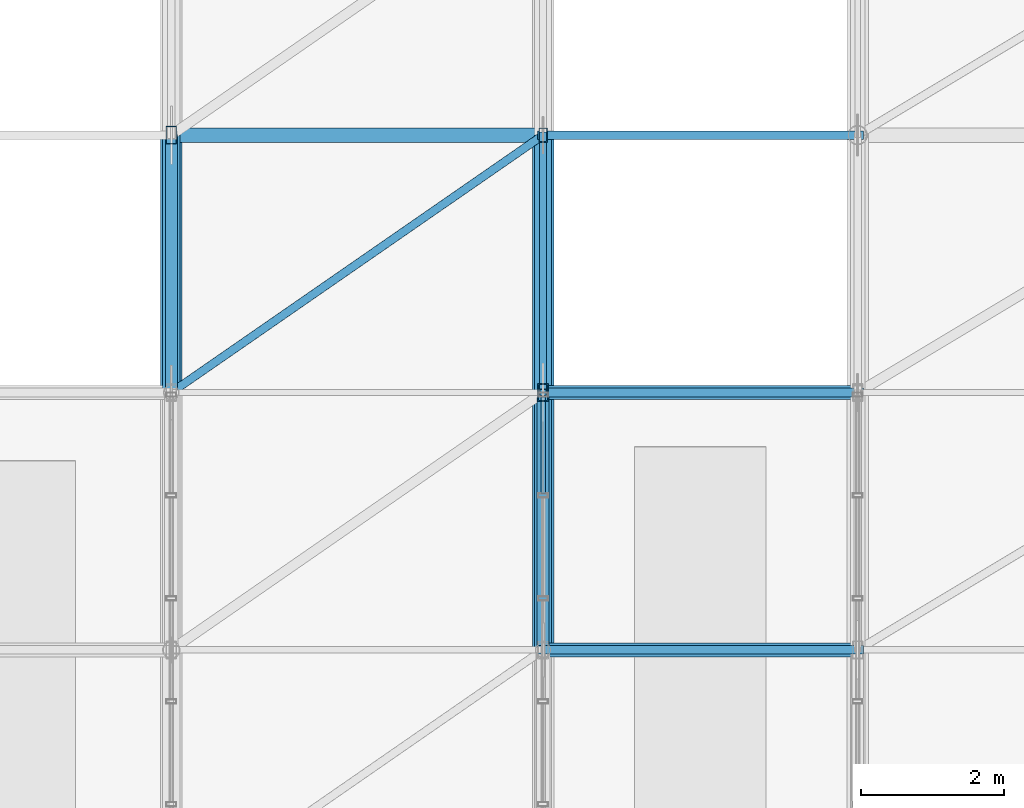
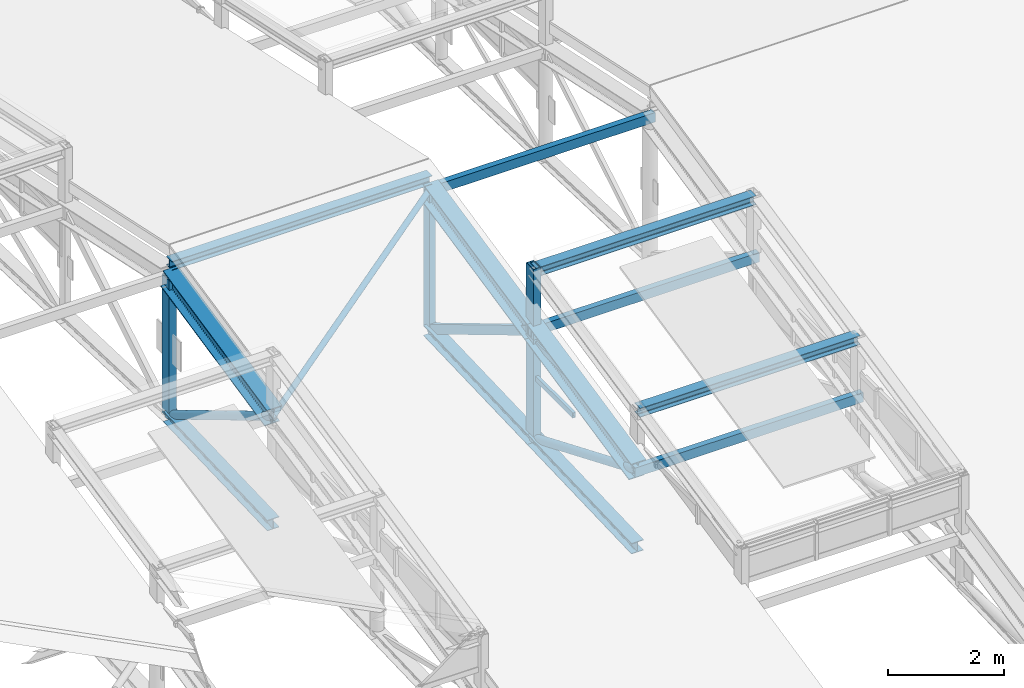
# One storey, part 37 of 124: 22 members, 1 element without a shape of its own.
"""IFC4 building model written with IfcOpenShell, lengths in metres."""

from ifc_helpers import new_model, si_unit, direction, frame, origin, origin_2d, place, context, subcontext, project, spatial, hollow_rectangle, hollow_circle, i_section, extrude, material, layer, layer_set, material_profile, profile_set, type_object, element, aggregate, save


model = new_model("IFC4")

# Units and contexts
model_context = context("Model", 3, precision=1e-05, world=origin(), true_north=direction((0.0, 1.0)))
body_context = subcontext(model_context, "Body", "Model", "MODEL_VIEW")
ifc_project = project(units=[si_unit("LENGTHUNIT", "METRE"), si_unit("AREAUNIT", "SQUARE_METRE"), si_unit("VOLUMEUNIT", "CUBIC_METRE"), si_unit("PLANEANGLEUNIT", "RADIAN"), si_unit("MASSUNIT", "GRAM", prefix="KILO"), si_unit("THERMODYNAMICTEMPERATUREUNIT", "KELVIN"), si_unit("POWERUNIT", "WATT")], contexts=[model_context])

# Site, building, storey
site_placement = place(None, origin())
site = spatial("IfcSite", under=ifc_project, at=site_placement, CompositionType="ELEMENT")
building_placement = place(site_placement, origin())
building = spatial("IfcBuilding", under=site, at=building_placement, Name="Tavuni Mirador Residences", CompositionType="ELEMENT")
storey_placement = place(building_placement, frame((0.0, 0.0, 7.64990234375)))
storey = spatial("IfcBuildingStorey", under=building, at=storey_placement, Name="L02", CompositionType="ELEMENT", Elevation=7.64990234375)

# Curtain wall, members
ifc_material_1 = material(Name="Anodised aluminium", Category="aluminium")
ifc_layer = layer(ifc_material_1, 0.199951171875, Name="Anodised aluminium", Category="aluminium")
ifc_layer_set = layer_set([ifc_layer], Name="Anodised aluminium")
curtain_wall_type = type_object("IfcCurtainWallType", Name="CWT-HAL-01", PredefinedType="NOTDEFINED", material=ifc_layer_set)
curtain_wall_placement = place(storey_placement, origin())
curtain_wall = element("IfcCurtainWall", 1, at=curtain_wall_placement, inside=storey, type_object=curtain_wall_type, Name="CW-HALL-MON-S3-W", PredefinedType="NOTDEFINED")
ifc_material_profile_1 = material_profile(ifc_material_1, hollow_rectangle(XDim=0.06005859375, YDim=0.110107421875, WallThickness=0.00390625, at=origin_2d()), Name="ALU 60x110x4.0", Category="aluminium")
ifc_profile_set_1 = profile_set([ifc_material_profile_1], Name="Anodised aluminium")
member_type_1 = type_object("IfcMemberType", Name="CWT-110", PredefinedType="USERDEFINED", material=ifc_profile_set_1)
member_1_placement = place(storey_placement, frame((64.0, 81.389892578125, 1.205078125), z_axis=(0.0, 1.0, 0.0), x_axis=(-1.0, 0.0, 0.0)))
member_1 = element("IfcMember", 2, at=member_1_placement, type_object=member_type_1, Name="CW-06 transom 5.1", ObjectType="TRANSOM", PredefinedType="USERDEFINED", context=body_context, shape_type="SweptSolid", body=[
    extrude(hollow_rectangle(XDim=0.06005859375, YDim=0.110107421875, WallThickness=0.00390625, at=origin_2d()), origin(), (0.0, 0.0, 1.0), 1.35009765625),
])
member_2_placement = place(storey_placement, frame((64.0, 81.389892578125, 1.93505859375), z_axis=(0.0, 1.0, 0.0), x_axis=(-1.0, 0.0, 0.0)))
member_2 = element("IfcMember", 3, at=member_2_placement, type_object=member_type_1, Name="CW-06 transom 5.2", ObjectType="TRANSOM", PredefinedType="USERDEFINED", context=body_context, shape_type="SweptSolid", body=[
    extrude(hollow_rectangle(XDim=0.06005859375, YDim=0.110107421875, WallThickness=0.00390625, at=origin_2d()), origin(), (0.0, 0.0, 1.0), 1.35009765625),
])
aggregate(curtain_wall, [member_1, member_2])

# Members
ifc_material_2 = material(Name="Structural steel S355", Category="steel")
ifc_material_profile_2 = material_profile(ifc_material_2, hollow_circle(Radius=0.05712890625, WallThickness=0.00634765625, at=origin_2d()), Name="CHS 114.3x6.3", Category="steel")
ifc_profile_set_2 = profile_set([ifc_material_profile_2], Name="Structural steel S355")
member_type_2 = type_object("IfcMemberType", Name="MT-BR-CHS114", PredefinedType="BRACE", material=ifc_profile_set_2)
member_3_placement = place(storey_placement, frame((58.800048828125, 82.800048828125, 2.155029296875), z_axis=(0.816093743488, 0.564970291926, 0.121653487749), x_axis=(-0.569197934703, 0.822200529755, 0.0)))
element("IfcMember", 4, at=member_3_placement, inside=storey, type_object=member_type_2, Name="HALL-RB-3-04", PredefinedType="BRACE", context=body_context, shape_type="SweptSolid", body=[
    extrude(hollow_circle(Radius=0.05712890625, WallThickness=0.00634765625, at=origin_2d()), origin(), (0.0, 0.0, 1.0), 6.371826171875),
])
ifc_material_profile_3 = material_profile(ifc_material_2, hollow_circle(Radius=0.084228515625, WallThickness=0.008056640625, at=origin_2d()), Name="CHS 168.3x8.0", Category="steel")
ifc_profile_set_3 = profile_set([ifc_material_profile_3], Name="Structural steel S355")
member_type_3 = type_object("IfcMemberType", Name="MT-BR-CHS168", PredefinedType="BRACE", material=ifc_profile_set_3)
member_4_placement = place(storey_placement, frame((58.800048828125, 82.800048828125, 2.155029296875), z_axis=(0.0, 0.858005936545, -0.513639769541), x_axis=(-1.0, 0.0, 0.0)))
element("IfcMember", 5, at=member_4_placement, inside=storey, type_object=member_type_3, Name="Roof truss TR-5 web diagonal 4", PredefinedType="BRACE", context=body_context, shape_type="SweptSolid", body=[
    extrude(hollow_circle(Radius=0.084228515625, WallThickness=0.008056640625, at=origin_2d()), origin(), (0.0, 0.0, 1.0), 4.195556640625),
])
member_5_placement = place(storey_placement, frame((64.0, 79.199951171875, 1.380126953125), z_axis=(0.0, 0.922613480979, -0.385725763613), x_axis=(-1.0, 0.0, 0.0)))
element("IfcMember", 6, at=member_5_placement, inside=storey, type_object=member_type_3, Name="Roof truss TR-6 web diagonal 3", PredefinedType="BRACE", context=body_context, shape_type="SweptSolid", body=[
    extrude(hollow_circle(Radius=0.084228515625, WallThickness=0.008056640625, at=origin_2d()), origin(), (0.0, 0.0, 1.0), 3.902099609375),
])
ifc_material_profile_4 = material_profile(ifc_material_2, hollow_rectangle(XDim=0.10009765625, YDim=0.179931640625, WallThickness=0.008056640625, at=origin_2d()), Name="RHS 180x100x8.0", Category="steel")
ifc_profile_set_4 = profile_set([ifc_material_profile_4], Name="Structural steel S355")
member_type_4 = type_object("IfcMemberType", Name="MT-BR-RHS180", PredefinedType="BRACE", material=ifc_profile_set_4)
member_6_placement = place(storey_placement, frame((64.0, 82.800048828125, 2.155029296875), z_axis=(0.0, 0.858005936545, -0.513639769541), x_axis=(-1.0, 0.0, 0.0)))
element("IfcMember", 7, at=member_6_placement, inside=storey, type_object=member_type_4, Name="Roof truss TR-6 web diagonal 4", PredefinedType="BRACE", context=body_context, shape_type="SweptSolid", body=[
    extrude(hollow_rectangle(XDim=0.10009765625, YDim=0.179931640625, WallThickness=0.008056640625, at=origin_2d()), origin(), (0.0, 0.0, 1.0), 4.195556640625),
])
ifc_material_profile_5 = material_profile(ifc_material_2, i_section(OverallWidth=0.239990234375, OverallDepth=0.22998046875, WebThickness=0.007568359375, FlangeThickness=0.011962890625, FilletRadius=0.02099609375, at=origin_2d()), Name="HEA 240", Category="steel")
ifc_profile_set_5 = profile_set([ifc_material_profile_5], Name="Structural steel S355")
member_type_5 = type_object("IfcMemberType", Name="MT-CH-HEA240", PredefinedType="CHORD", material=ifc_profile_set_5)
member_7_placement = place(storey_placement, frame((58.800048828125, 82.800048828125, -0.125), z_axis=(0.0, 0.999397679205, 0.034702720363), x_axis=(-1.0, 0.0, 0.0)))
element("IfcMember", 8, at=member_7_placement, inside=storey, type_object=member_type_5, Name="Roof truss TR-5 bottom chord 4", PredefinedType="CHORD", context=body_context, shape_type="SweptSolid", body=[
    extrude(i_section(OverallWidth=0.239990234375, OverallDepth=0.22998046875, WebThickness=0.007568359375, FlangeThickness=0.011962890625, FilletRadius=0.02099609375, at=origin_2d()), origin(), (0.0, 0.0, 1.0), 3.60205078125),
])
member_8_placement = place(storey_placement, frame((64.0, 79.199951171875, -0.25), z_axis=(0.0, 0.999397760821, 0.034700369832), x_axis=(-1.0, 0.0, 0.0)))
element("IfcMember", 9, at=member_8_placement, inside=storey, type_object=member_type_5, Name="Roof truss TR-6 bottom chord 3", PredefinedType="CHORD", context=body_context, shape_type="SweptSolid", body=[
    extrude(i_section(OverallWidth=0.239990234375, OverallDepth=0.22998046875, WebThickness=0.007568359375, FlangeThickness=0.011962890625, FilletRadius=0.02099609375, at=origin_2d()), origin(), (0.0, 0.0, 1.0), 3.602294921875),
])
member_9_placement = place(storey_placement, frame((64.0, 82.800048828125, -0.125), z_axis=(0.0, 0.999397679205, 0.034702720363), x_axis=(-1.0, 0.0, 0.0)))
element("IfcMember", 10, at=member_9_placement, inside=storey, type_object=member_type_5, Name="Roof truss TR-6 bottom chord 4", PredefinedType="CHORD", context=body_context, shape_type="SweptSolid", body=[
    extrude(i_section(OverallWidth=0.239990234375, OverallDepth=0.22998046875, WebThickness=0.007568359375, FlangeThickness=0.011962890625, FilletRadius=0.02099609375, at=origin_2d()), origin(), (0.0, 0.0, 1.0), 3.60205078125),
])
ifc_material_profile_6 = material_profile(ifc_material_2, i_section(OverallWidth=0.300048828125, OverallDepth=0.389892578125, WebThickness=0.010986328125, FlangeThickness=0.01904296875, FilletRadius=0.027099609375, at=origin_2d()), Name="HEA 400", Category="steel")
ifc_profile_set_6 = profile_set([ifc_material_profile_6], Name="Structural steel S355")
member_type_6 = type_object("IfcMemberType", Name="MT-CH-HEA400", PredefinedType="CHORD", material=ifc_profile_set_6)
member_10_placement = place(storey_placement, frame((58.800048828125, 82.800048828125, 2.155029296875), z_axis=(0.0, 0.977593327089, 0.210502462768), x_axis=(-1.0, 0.0, 0.0)))
element("IfcMember", 11, at=member_10_placement, inside=storey, type_object=member_type_6, Name="Roof truss TR-5 top chord 4", PredefinedType="CHORD", context=body_context, shape_type="SweptSolid", body=[
    extrude(i_section(OverallWidth=0.300048828125, OverallDepth=0.389892578125, WebThickness=0.010986328125, FlangeThickness=0.01904296875, FilletRadius=0.027099609375, at=origin_2d()), origin(), (0.0, 0.0, 1.0), 3.682373046875),
])
member_11_placement = place(storey_placement, frame((64.0, 79.199951171875, 1.380126953125), z_axis=(0.0, 0.977609904647, 0.210425460284), x_axis=(-1.0, 0.0, 0.0)))
element("IfcMember", 12, at=member_11_placement, inside=storey, type_object=member_type_6, Name="Roof truss TR-6 top chord 3", PredefinedType="CHORD", context=body_context, shape_type="SweptSolid", body=[
    extrude(i_section(OverallWidth=0.300048828125, OverallDepth=0.389892578125, WebThickness=0.010986328125, FlangeThickness=0.01904296875, FilletRadius=0.027099609375, at=origin_2d()), origin(), (0.0, 0.0, 1.0), 3.6826171875),
])
member_12_placement = place(storey_placement, frame((64.0, 82.800048828125, 2.155029296875), z_axis=(0.0, 0.977593327089, 0.210502462768), x_axis=(-1.0, 0.0, 0.0)))
element("IfcMember", 13, at=member_12_placement, inside=storey, type_object=member_type_6, Name="Roof truss TR-6 top chord 4", PredefinedType="CHORD", context=body_context, shape_type="SweptSolid", body=[
    extrude(i_section(OverallWidth=0.300048828125, OverallDepth=0.389892578125, WebThickness=0.010986328125, FlangeThickness=0.01904296875, FilletRadius=0.027099609375, at=origin_2d()), origin(), (0.0, 0.0, 1.0), 3.682373046875),
])
ifc_material_profile_7 = material_profile(ifc_material_2, i_section(OverallWidth=0.199951171875, OverallDepth=0.18994140625, WebThickness=0.006591796875, FlangeThickness=0.010009765625, FilletRadius=0.01806640625, at=origin_2d()), Name="HEA 200", Category="steel")
ifc_profile_set_7 = profile_set([ifc_material_profile_7], Name="Structural steel S355")
member_type_7 = type_object("IfcMemberType", Name="MT-PR-HEA200", PredefinedType="PURLIN", material=ifc_profile_set_7)
member_13_placement = place(storey_placement, frame((58.800048828125, 86.39990234375, 3.195068359375), z_axis=(1.0, 0.0, 0.0), x_axis=(0.0, 1.0, 0.0)))
element("IfcMember", 14, at=member_13_placement, inside=storey, type_object=member_type_7, Name="HALL-PUR-03-S3-1", PredefinedType="PURLIN", context=body_context, shape_type="SweptSolid", body=[
    extrude(i_section(OverallWidth=0.199951171875, OverallDepth=0.18994140625, WebThickness=0.006591796875, FlangeThickness=0.010009765625, FilletRadius=0.01806640625, at=origin_2d()), origin(), (0.0, 0.0, 1.0), 5.199951171875),
])
for number, where, z_axis, x_axis, name in (
    (15, (64.0, 79.199951171875, 2.64013671875), (1.0, 0.0, 0.0), (0.0, 1.0, 0.0), "HALL-MPUR-3-S-2"),
    (16, (64.0, 82.800048828125, 3.4150390625), (1.0, 0.0, 0.0), (0.0, 1.0, 0.0), "HALL-MPUR-3-S-3"),
):
    element("IfcMember", number, at=place(storey_placement, frame(where, z_axis=z_axis, x_axis=x_axis)), inside=storey, type_object=member_type_7, Name=name, PredefinedType="PURLIN", context=body_context, shape_type="SweptSolid", body=[
        extrude(i_section(OverallWidth=0.199951171875, OverallDepth=0.18994140625, WebThickness=0.006591796875, FlangeThickness=0.010009765625, FilletRadius=0.01806640625, at=origin_2d()), origin(), (0.0, 0.0, 1.0), 4.39990234375),
    ])
ifc_material_profile_8 = material_profile(ifc_material_2, hollow_rectangle(XDim=0.1201171875, YDim=0.199951171875, WallThickness=0.010009765625, at=origin_2d()), Name="RHS 200x120x10.0", Category="steel")
ifc_profile_set_8 = profile_set([ifc_material_profile_8], Name="Structural steel S355")
member_type_8 = type_object("IfcMemberType", Name="MT-ST-RHS200", PredefinedType="STRUT", material=ifc_profile_set_8)
member_14_placement = place(storey_placement, frame((64.0, 86.39990234375, 0.0), z_axis=(0.0, 0.0, 1.0), x_axis=(1.0, 0.0, 0.0)))
element("IfcMember", 17, at=member_14_placement, inside=storey, type_object=member_type_8, Name="Roof truss TR-6 vertical 5", PredefinedType="STRUT", context=body_context, shape_type="SweptSolid", body=[
    extrude(hollow_rectangle(XDim=0.1201171875, YDim=0.199951171875, WallThickness=0.010009765625, at=origin_2d()), origin(), (0.0, 0.0, 1.0), 2.93017578125),
])
for number, where, z_axis, x_axis, name in (
    (18, (63.919921875, 79.199951171875, 1.380126953125), (1.0, 0.0, 0.0), (0.0, 1.0, 0.0), "HALL-MTIE-3-02"),
    (19, (63.919921875, 82.800048828125, 2.155029296875), (1.0, 0.0, 0.0), (0.0, 1.0, 0.0), "HALL-MTIE-3-03"),
    (20, (63.919921875, 86.39990234375, 2.93017578125), (1.0, 0.0, 0.0), (0.0, 1.0, 0.0), "HALL-MTIE-3-04"),
):
    element("IfcMember", number, at=place(storey_placement, frame(where, z_axis=z_axis, x_axis=x_axis)), inside=storey, type_object=member_type_8, Name=name, PredefinedType="STRUT", context=body_context, shape_type="SweptSolid", body=[
        extrude(hollow_rectangle(XDim=0.1201171875, YDim=0.199951171875, WallThickness=0.010009765625, at=origin_2d()), origin(), (0.0, 0.0, 1.0), 4.56005859375),
    ])
ifc_material_profile_9 = material_profile(ifc_material_2, hollow_rectangle(XDim=0.14990234375, YDim=0.25, WallThickness=0.010009765625, at=origin_2d()), Name="RHS 250x150x10.0", Category="steel")
ifc_profile_set_9 = profile_set([ifc_material_profile_9], Name="Structural steel S355")
member_type_9 = type_object("IfcMemberType", Name="MT-ST-RHS250", PredefinedType="STRUT", material=ifc_profile_set_9)
member_15_placement = place(storey_placement, frame((58.800048828125, 86.39990234375, 0.0), z_axis=(0.0, 0.0, 1.0), x_axis=(1.0, 0.0, 0.0)))
element("IfcMember", 21, at=member_15_placement, inside=storey, type_object=member_type_9, Name="Roof truss TR-5 vertical 5", PredefinedType="STRUT", context=body_context, shape_type="SweptSolid", body=[
    extrude(hollow_rectangle(XDim=0.14990234375, YDim=0.25, WallThickness=0.010009765625, at=origin_2d()), origin(), (0.0, 0.0, 1.0), 2.93017578125),
])
member_16_placement = place(storey_placement, frame((64.0, 82.800048828125, -0.125), z_axis=(0.0, 0.0, 1.0), x_axis=(1.0, 0.0, 0.0)))
element("IfcMember", 22, at=member_16_placement, inside=storey, type_object=member_type_9, Name="Roof truss TR-6 vertical 4", PredefinedType="STRUT", context=body_context, shape_type="SweptSolid", body=[
    extrude(hollow_rectangle(XDim=0.14990234375, YDim=0.25, WallThickness=0.010009765625, at=origin_2d()), origin(), (0.0, 0.0, 1.0), 2.280029296875),
])
member_17_placement = place(storey_placement, frame((64.0, 82.800048828125, 2.03515625), z_axis=(0.0, 0.0, 1.0), x_axis=(1.0, 0.0, 0.0)))
element("IfcMember", 23, at=member_17_placement, inside=storey, type_object=member_type_9, Name="HALL-MPST-3-S-W3", PredefinedType="STRUT", context=body_context, shape_type="SweptSolid", body=[
    extrude(hollow_rectangle(XDim=0.14990234375, YDim=0.25, WallThickness=0.010009765625, at=origin_2d()), origin(), (0.0, 0.0, 1.0), 1.489990234375),
])

save(model, "model.ifc")
